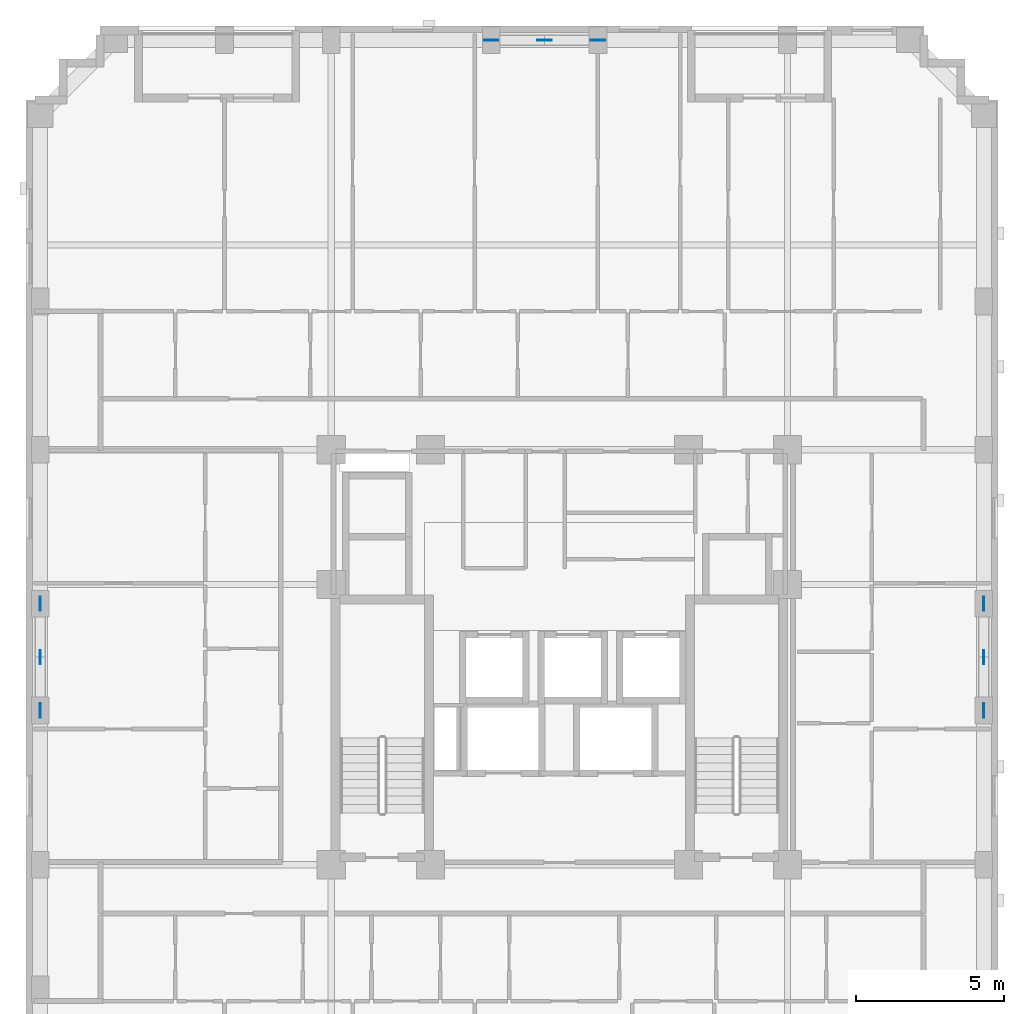
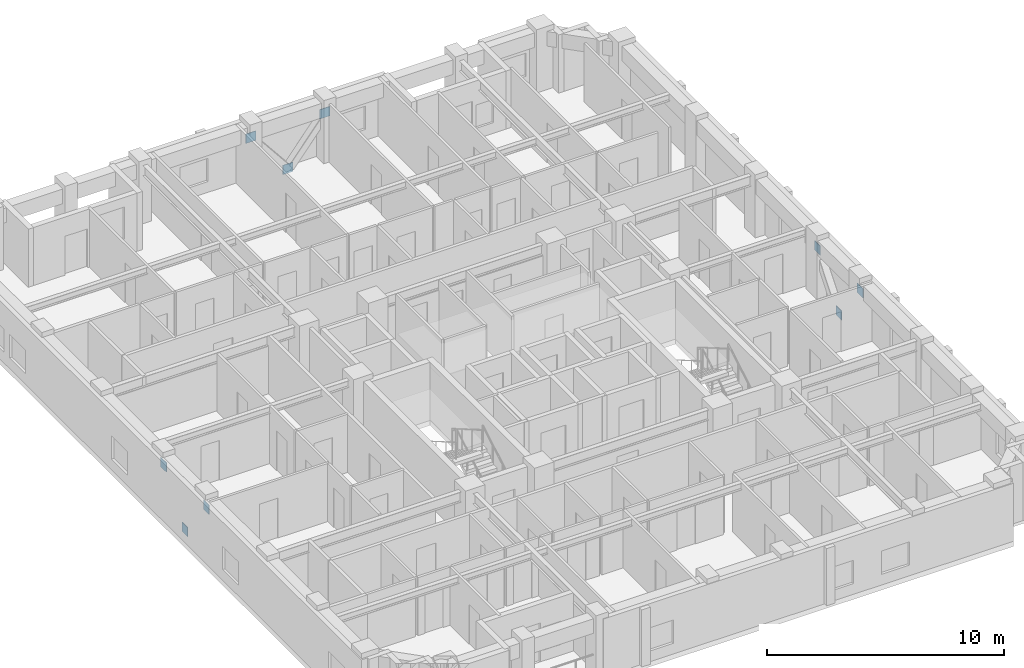
# One storey, part 9 of 11: 9 discrete accessories.
"""IFC4 building model written with IfcOpenShell, lengths in metres."""

from ifc_helpers import new_model, si_unit, derived_unit, direction, frame, origin, origin_2d, place, context, subcontext, project, spatial, rectangle, extrude, material, layer, layer_set, type_object, element, save


model = new_model("IFC4")

# Units and contexts
model_context = context("Model", 3, precision=1e-05, world=origin(), true_north=direction((0.0, 1.0)))
body_context = subcontext(model_context, "Body", "Model", "MODEL_VIEW")
ifc_project = project(units=[si_unit("LENGTHUNIT", "METRE"), si_unit("AREAUNIT", "SQUARE_METRE"), si_unit("VOLUMEUNIT", "CUBIC_METRE"), si_unit("PLANEANGLEUNIT", "RADIAN"), si_unit("MASSUNIT", "GRAM", prefix="KILO"), derived_unit("THERMALTRANSMITTANCEUNIT", [(si_unit("MASSUNIT", "GRAM", prefix="KILO"), 1), (si_unit("TIMEUNIT", "SECOND"), -3), (si_unit("THERMODYNAMICTEMPERATUREUNIT", "KELVIN"), -1)])], contexts=[model_context])

# Site, building, storey
site_placement = place(None, origin())
site = spatial("IfcSite", under=ifc_project, at=site_placement, CompositionType="ELEMENT")
building_placement = place(site_placement, origin())
building = spatial("IfcBuilding", under=site, at=building_placement, Name="Korrvale Station Residences", CompositionType="ELEMENT")
storey_placement = place(building_placement, frame((0.0, 0.0, 150.39990234375)))
storey = spatial("IfcBuildingStorey", under=building, at=storey_placement, Name="L43", CompositionType="ELEMENT", Elevation=150.39990234375)

# Discrete accessories
ifc_material = material(Name="Steel S355", Category="steel")
ifc_layer = layer(ifc_material, 0.02490234375, Name="Steel S355")
ifc_layer_set = layer_set([ifc_layer], Name="Steel S355")
discrete_accessory_type = type_object("IfcDiscreteAccessoryType", Name="ACC-GUSSET-25", PredefinedType="BRACKET", material=ifc_layer_set)
for number, where, z_axis, x_axis, name in (
    (1, (25.0, 42.820068359375, -0.219970703125), (0.0, 0.0, 1.0), (1.0, 0.0, 0.0), "L43 N Brace End Gusset Connection M"),
    (2, (23.199951171875, 42.820068359375, 2.02001953125), (0.0, 0.0, 1.0), (1.0, 0.0, 0.0), "L43 N Brace End Gusset Connection A"),
    (3, (26.800048828125, 42.820068359375, 2.02001953125), (0.0, 0.0, 1.0), (1.0, 0.0, 0.0), "L43 N Brace End Gusset Connection B"),
    (4, (7.97998046875, 22.0, -0.219970703125), (0.0, 0.0, 1.0), (0.0, 1.0, 0.0), "L43 W Brace End Gusset Connection M"),
    (5, (7.97998046875, 20.199951171875, 2.02001953125), (0.0, 0.0, 1.0), (0.0, 1.0, 0.0), "L43 W Brace End Gusset Connection A"),
    (6, (7.97998046875, 23.800048828125, 2.02001953125), (0.0, 0.0, 1.0), (0.0, 1.0, 0.0), "L43 W Brace End Gusset Connection B"),
    (7, (39.820068359375, 22.0, -0.219970703125), (0.0, 0.0, 1.0), (0.0, 1.0, 0.0), "L43 E Brace End Gusset Connection M"),
    (8, (39.820068359375, 20.199951171875, 2.02001953125), (0.0, 0.0, 1.0), (0.0, 1.0, 0.0), "L43 E Brace End Gusset Connection A"),
    (9, (39.820068359375, 23.800048828125, 2.02001953125), (0.0, 0.0, 1.0), (0.0, 1.0, 0.0), "L43 E Brace End Gusset Connection B"),
):
    element("IfcDiscreteAccessory", number, at=place(storey_placement, frame(where, z_axis=z_axis, x_axis=x_axis)), inside=storey, type_object=discrete_accessory_type, Name=name, PredefinedType="BRACKET", context=body_context, shape_type="SweptSolid", body=[
        extrude(rectangle(XDim=0.47998046875, YDim=0.02490234375, at=origin_2d()), origin(), (0.0, 0.0, 1.0), 0.47998046875),
    ])

save(model, "model.ifc")
